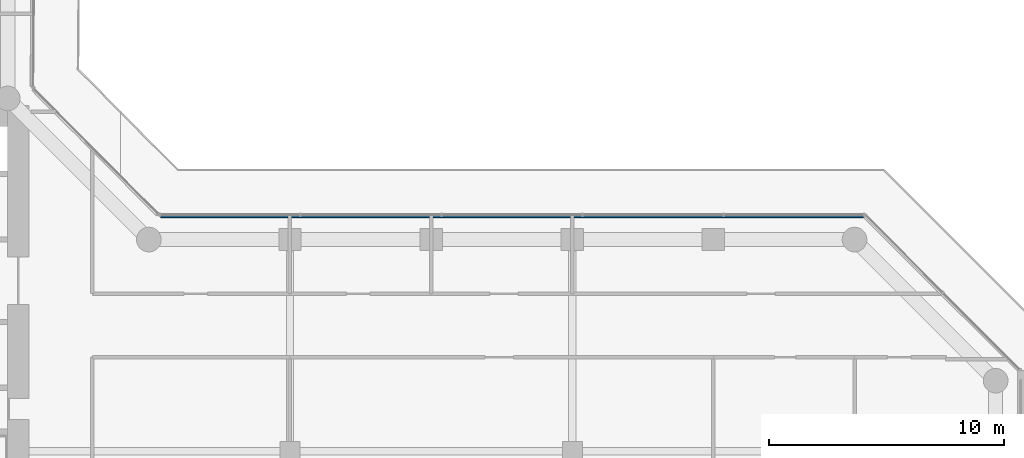
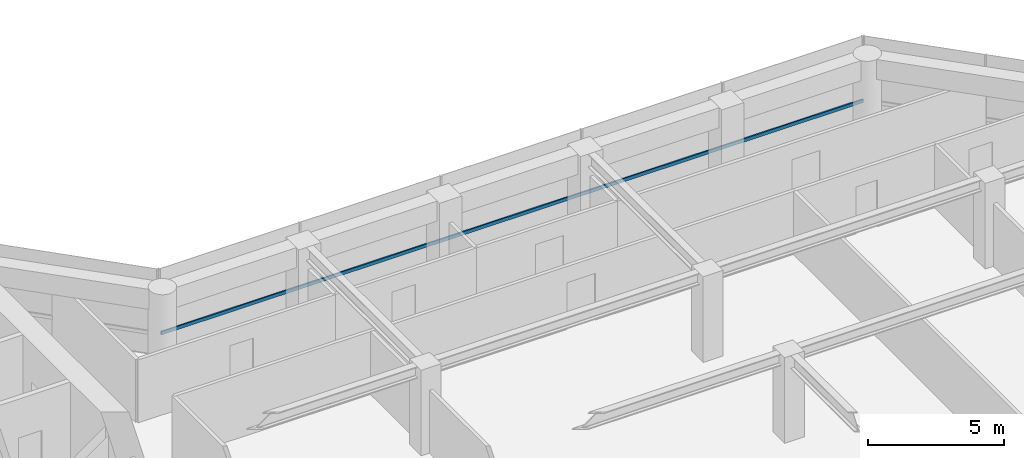
# One storey, part 10 of 29: 1 member, 1 element without a shape of its own.
"""IFC4 building model written with IfcOpenShell, lengths in metres."""

from ifc_helpers import new_model, si_unit, direction, frame, origin, origin_2d, place, context, subcontext, project, spatial, rectangle, extrude, material, layer, layer_set, material_profile, profile_set, type_object, element, aggregate, save


model = new_model("IFC4")

# Units and contexts
model_context = context("Model", 3, precision=1e-05, world=origin(), true_north=direction((0.0, 1.0)))
body_context = subcontext(model_context, "Body", "Model", "MODEL_VIEW")
ifc_project = project(units=[si_unit("LENGTHUNIT", "METRE"), si_unit("AREAUNIT", "SQUARE_METRE"), si_unit("VOLUMEUNIT", "CUBIC_METRE"), si_unit("PLANEANGLEUNIT", "RADIAN"), si_unit("MASSUNIT", "GRAM", prefix="KILO")], contexts=[model_context])

# Site, building, storey
site_placement = place(None, origin())
site = spatial("IfcSite", under=ifc_project, at=site_placement, CompositionType="ELEMENT")
building_placement = place(site_placement, origin())
building = spatial("IfcBuilding", under=site, at=building_placement, Name="Welwitschia Terrace Campus", CompositionType="ELEMENT")
storey_placement = place(building_placement, frame((0.0, 0.0, 50.0)))
storey = spatial("IfcBuildingStorey", under=building, at=storey_placement, Name="L11", CompositionType="ELEMENT", Elevation=50.0)

# Curtain wall, member
ifc_material_1 = material(Name="Bronze anodised aluminium", Category="aluminium")
ifc_layer = layer(ifc_material_1, 0.1201171875)
ifc_layer_set = layer_set([ifc_layer], Name="Bronze anodised aluminium")
curtain_wall_type = type_object("IfcCurtainWallType", Name="Curtain wall CW2 tower 6000", PredefinedType="NOTDEFINED", material=ifc_layer_set)
curtain_wall_placement = place(storey_placement, origin())
curtain_wall = element("IfcCurtainWall", 1, at=curtain_wall_placement, inside=storey, type_object=curtain_wall_type, Name="CW L11.6.0", PredefinedType="NOTDEFINED")
ifc_material_2 = material(Name="Bronze anodised aluminium", Category="aluminium")
ifc_material_profile = material_profile(ifc_material_2, rectangle(XDim=0.06005859375, YDim=0.14990234375, at=origin_2d()))
ifc_profile_set = profile_set([ifc_material_profile], Name="Bronze anodised aluminium")
member_type = type_object("IfcMemberType", Name="Transom 60x150", PredefinedType="USERDEFINED", material=ifc_profile_set)
member_placement = place(storey_placement, frame((60.378173828125, 20.968017578125, 1.0), z_axis=(-1.0, 0.0, 0.0), x_axis=(0.0, -1.0, 0.0)))
member = element("IfcMember", 2, at=member_placement, type_object=member_type, Name="Transom L11.6.0", ObjectType="TRANSOM", PredefinedType="USERDEFINED", context=body_context, shape_type="SweptSolid", body=[
    extrude(rectangle(XDim=0.06005859375, YDim=0.14990234375, at=origin_2d()), origin(), (0.0, 0.0, 1.0), 29.8798828125),
])
aggregate(curtain_wall, [member])

save(model, "model.ifc")
